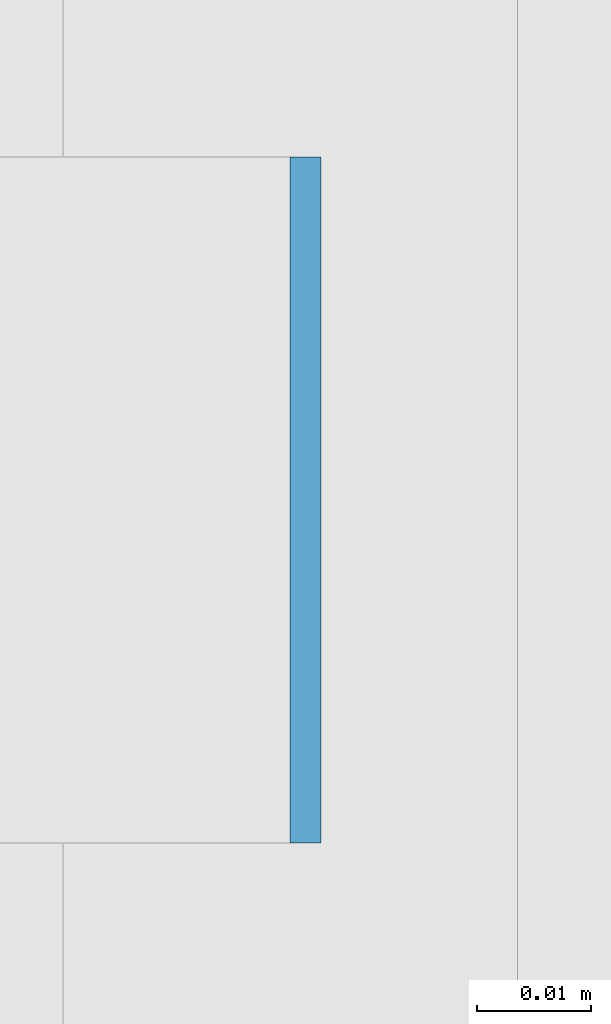
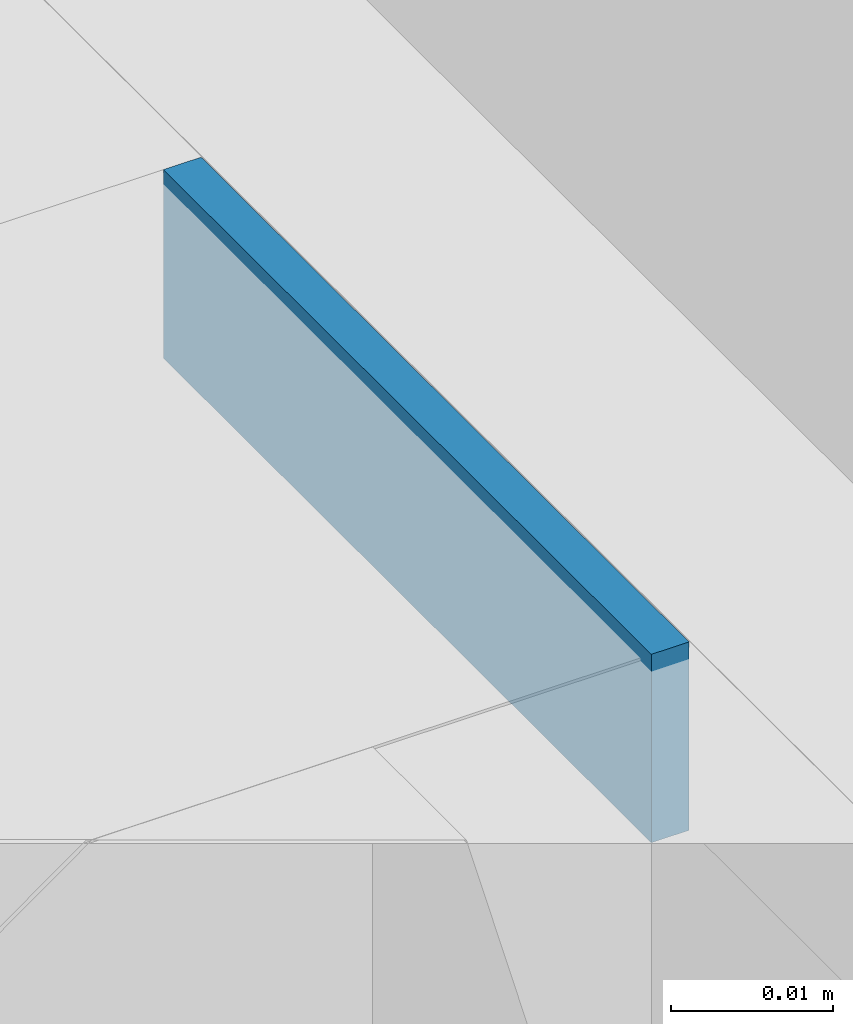
# One storey, part 387 of 646: 1 discrete accessory.
"""IFC4 building model written with IfcOpenShell, lengths in metres."""

from ifc_helpers import new_model, si_unit, direction, frame, origin, origin_2d, place, context, subcontext, project, spatial, rectangle, extrude, material, type_object, element, save


model = new_model("IFC4")

# Units and contexts
model_context = context("Model", 3, precision=1e-05, world=origin(), true_north=direction((0.0, 1.0)))
body_context = subcontext(model_context, "Body", "Model", "MODEL_VIEW")
ifc_project = project(units=[si_unit("LENGTHUNIT", "METRE"), si_unit("AREAUNIT", "SQUARE_METRE"), si_unit("VOLUMEUNIT", "CUBIC_METRE"), si_unit("PLANEANGLEUNIT", "RADIAN"), si_unit("MASSUNIT", "GRAM", prefix="KILO")], contexts=[model_context])

# Site, building, storey
site_placement = place(None, origin())
site = spatial("IfcSite", under=ifc_project, at=site_placement, CompositionType="ELEMENT")
building_placement = place(site_placement, origin())
building = spatial("IfcBuilding", under=site, at=building_placement, Name="Silverbay Arena", CompositionType="ELEMENT")
storey_placement = place(building_placement, frame((0.0, 0.0, 33.5)))
storey = spatial("IfcBuildingStorey", under=building, at=storey_placement, Name="L05", CompositionType="ELEMENT", Elevation=33.5)

# Discrete accessory
ifc_material = material(Name="Steel S355", Category="steel")
discrete_accessory_type = type_object("IfcDiscreteAccessoryType", Name="Steel bracket plate", PredefinedType="BRACKET", material=ifc_material)
discrete_accessory_placement = place(storey_placement, frame((53.871337890625, 111.857177734375, 12.98583984375), z_axis=(0.0, 0.0, 1.0), x_axis=(1.0, 0.0, 0.0)))
element("IfcDiscreteAccessory", 1, at=discrete_accessory_placement, inside=storey, type_object=discrete_accessory_type, Name="Curtain wall packing plate", PredefinedType="BRACKET", context=body_context, shape_type="SweptSolid", body=[
    extrude(rectangle(XDim=0.002685546875, YDim=0.06005859375, at=origin_2d()), origin(), (0.0, 0.0, 1.0), 0.01416015625),
])

save(model, "model.ifc")
